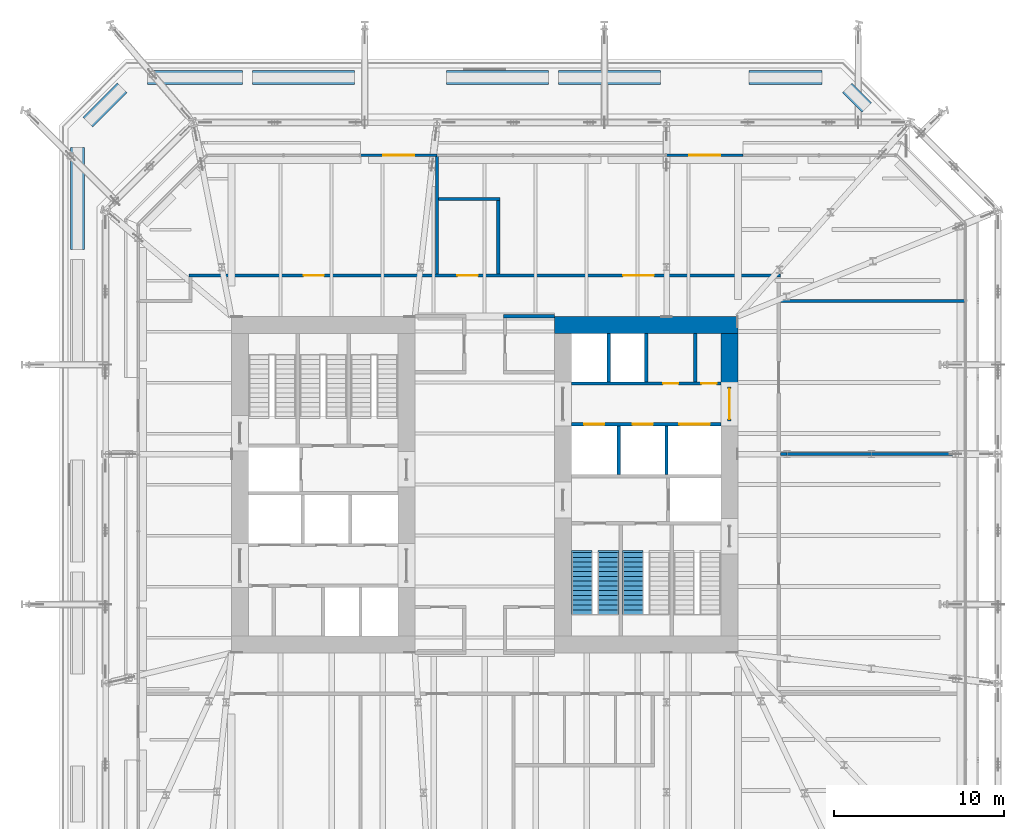
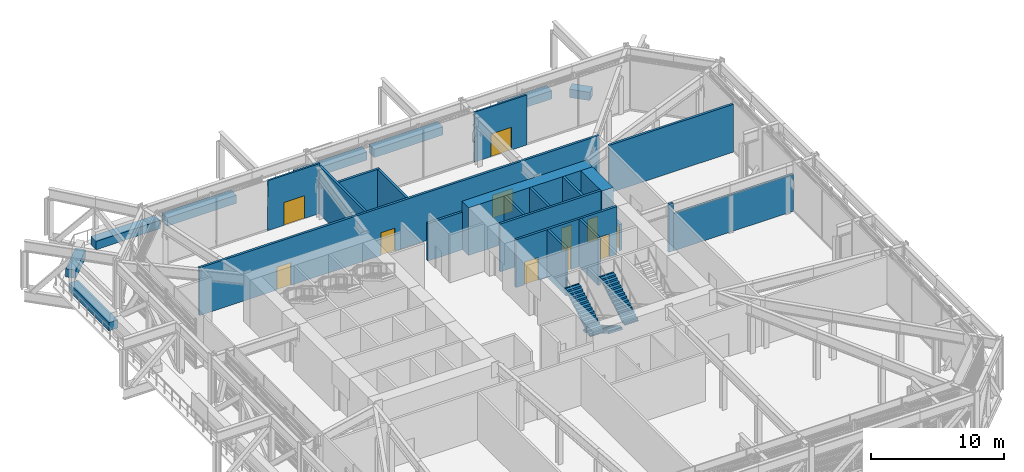
# One storey, part 19 of 29: 28 walls, 11 doors, 3 stair flights, 11 openings, 2 elements without a shape of their own.
"""IFC4 building model written with IfcOpenShell, lengths in metres."""

from ifc_helpers import new_model, si_unit, direction, frame, frame_2d, origin, place, context, subcontext, project, spatial, polyline, rectangle, outline, extrude, material, layer, layer_set, type_object, element, fill, aggregate, save


model = new_model("IFC4")

# Units and contexts
model_context = context("Model", 3, precision=1e-05, world=origin(), true_north=direction((0.0, 1.0)))
body_context = subcontext(model_context, "Body", "Model", "MODEL_VIEW")
ifc_project = project(units=[si_unit("LENGTHUNIT", "METRE"), si_unit("AREAUNIT", "SQUARE_METRE"), si_unit("VOLUMEUNIT", "CUBIC_METRE"), si_unit("PLANEANGLEUNIT", "RADIAN"), si_unit("MASSUNIT", "GRAM", prefix="KILO")], contexts=[model_context])

# Site, building, storey
site_placement = place(None, origin())
site = spatial("IfcSite", under=ifc_project, at=site_placement, CompositionType="ELEMENT")
building_placement = place(site_placement, origin())
building = spatial("IfcBuilding", under=site, at=building_placement, Name="Millrace Tower", CompositionType="ELEMENT")
storey_placement = place(building_placement, frame((0.0, 0.0, 68.60009765625)))
storey = spatial("IfcBuildingStorey", under=building, at=storey_placement, Name="L15", CompositionType="ELEMENT", Elevation=68.60009765625)

# Walls
ifc_material_1 = material(Name="Concrete C80", Category="concrete")
ifc_layer_1 = layer(ifc_material_1, 1.0)
ifc_layer_set_1 = layer_set([ifc_layer_1], Name="Concrete C80")
wall_type_1 = type_object("IfcWallType", Name="Core wall 1000 Concrete C80", PredefinedType="SHEAR", material=ifc_layer_set_1)
wall_1_placement = place(storey_placement, frame((14.89990234375, 9.39990234375, 0.0), z_axis=(0.0, 0.0, 1.0), x_axis=(-1.0, 0.0, 0.0)))
element("IfcWall", 1, at=wall_1_placement, inside=storey, type_object=wall_type_1, Name="Core wall E L15", PredefinedType="SHEAR", context=body_context, shape_type="SweptSolid", body=[
    extrude(rectangle(XDim=10.7998046875, YDim=1.0, at=frame_2d((5.39990234375, 0.0))), origin(), (0.0, 0.0, 1.0), 4.39990234375),
])
wall_2_placement = place(storey_placement, frame((14.39990234375, 8.89990234375, 0.0), z_axis=(0.0, 0.0, 1.0), x_axis=(0.0, -1.0, 0.0)))
element("IfcWall", 2, at=wall_2_placement, inside=storey, type_object=wall_type_1, Name="Core wall E L15", PredefinedType="SHEAR", context=body_context, shape_type="SweptSolid", body=[
    extrude(rectangle(XDim=3.14990234375, YDim=1.0, at=frame_2d((1.574951171875, 0.0))), origin(), (0.0, 0.0, 1.0), 4.39990234375),
])
ifc_material_2 = material(Name="Masonry partition, fire-rated", Category="masonry")
ifc_layer_2 = layer(ifc_material_2, 0.199951171875)
ifc_layer_set_2 = layer_set([ifc_layer_2], Name="Masonry partition, fire-rated")
wall_type_2 = type_object("IfcWallType", Name="Corridor wall 200", PredefinedType="PARTITIONING", material=ifc_layer_set_2)
wall_3_placement = place(storey_placement, frame((17.39990234375, 1.800048828125, 0.0), z_axis=(0.0, 0.0, 1.0), x_axis=(1.0, 0.0, 0.0)))
element("IfcWall", 3, at=wall_3_placement, inside=storey, type_object=wall_type_2, Name="Corridor wall L15", PredefinedType="PARTITIONING", context=body_context, shape_type="SweptSolid", body=[
    extrude(rectangle(XDim=0.400146484375, YDim=0.199951171875, at=frame_2d((0.2001953125, 0.0))), origin(), (0.0, 0.0, 1.0), 4.39990234375),
])
wall_4_placement = place(storey_placement, frame((17.800048828125, 1.800048828125, 0.0), z_axis=(0.0, 0.0, 1.0), x_axis=(1.0, 0.0, 0.0)))
element("IfcWall", 4, at=wall_4_placement, inside=storey, type_object=wall_type_2, Name="Corridor wall L15", PredefinedType="PARTITIONING", context=body_context, shape_type="SweptSolid", body=[
    extrude(rectangle(XDim=10.429931640625, YDim=0.199951171875, at=frame_2d((5.21484375, 0.0))), origin(), (0.0, 0.0, 1.0), 3.40673828125),
])
wall_5_placement = place(storey_placement, frame((1.10009765625, 9.89990234375, 0.0), z_axis=(0.0, 0.0, 1.0), x_axis=(1.0, 0.0, 0.0)))
element("IfcWall", 5, at=wall_5_placement, inside=storey, type_object=wall_type_2, Name="Corridor wall L15", PredefinedType="PARTITIONING", context=body_context, shape_type="SweptSolid", body=[
    extrude(rectangle(XDim=3.0, YDim=0.199951171875, at=frame_2d((1.5, 0.0))), origin(), (0.0, 0.0, 1.0), 3.462646484375),
])
wall_6_placement = place(storey_placement, frame((17.39990234375, 10.800048828125, 0.0), z_axis=(0.0, 0.0, 1.0), x_axis=(1.0, 0.0, 0.0)))
element("IfcWall", 6, at=wall_6_placement, inside=storey, type_object=wall_type_2, Name="Corridor wall L15", PredefinedType="PARTITIONING", context=body_context, shape_type="SweptSolid", body=[
    extrude(rectangle(XDim=10.830078125, YDim=0.199951171875, at=frame_2d((5.4150390625, 0.0))), origin(), (0.0, 0.0, 1.0), 4.39990234375),
])

# Wall, openings, doors
wall_7_placement = place(storey_placement, frame((-17.39990234375, 12.300048828125, 0.0), z_axis=(0.0, 0.0, 1.0), x_axis=(1.0, 0.0, 0.0)))
wall_7 = element("IfcWall", 7, at=wall_7_placement, inside=storey, type_object=wall_type_2, Name="Corridor wall L15", PredefinedType="PARTITIONING", context=body_context, shape_type="SweptSolid", body=[
    extrude(rectangle(XDim=34.7998046875, YDim=0.199951171875, at=frame_2d((17.39990234375, 0.0))), origin(), (0.0, 0.0, 1.0), 4.39990234375),
])
opening_1_placement = place(wall_7_placement, frame((6.75, 0.0, 0.0)))
opening_1 = element("IfcOpeningElement", 8, at=opening_1_placement, cuts=wall_7, Name="Opening 15-P008", PredefinedType="OPENING", context=body_context, shape_type="SweptSolid", body=[
    extrude(rectangle(XDim=1.199951171875, YDim=2.10009765625, at=frame_2d((0.60009765625, 1.050048828125))), frame((0.0, 0.10986328125, 0.0), z_axis=(0.0, -1.0, 0.0), x_axis=(1.0, 0.0, 0.0)), (0.0, 0.0, 1.0), 0.219970703125),
])
opening_2_placement = place(wall_7_placement, frame((25.550048828125, 0.0, 0.0)))
opening_2 = element("IfcOpeningElement", 9, at=opening_2_placement, cuts=wall_7, Name="Opening 15-P009", PredefinedType="OPENING", context=body_context, shape_type="SweptSolid", body=[
    extrude(rectangle(XDim=1.800048828125, YDim=2.10009765625, at=frame_2d((0.89990234375, 1.050048828125))), frame((0.0, 0.10986328125, 0.0), z_axis=(0.0, -1.0, 0.0), x_axis=(1.0, 0.0, 0.0)), (0.0, 0.0, 1.0), 0.219970703125),
])
opening_3_placement = place(wall_7_placement, frame((15.800048828125, 0.0, 0.0)))
opening_3 = element("IfcOpeningElement", 10, at=opening_3_placement, cuts=wall_7, Name="Opening 15-P010", PredefinedType="OPENING", context=body_context, shape_type="SweptSolid", body=[
    extrude(rectangle(XDim=1.199951171875, YDim=2.10009765625, at=frame_2d((0.60009765625, 1.050048828125))), frame((0.0, 0.10986328125, 0.0), z_axis=(0.0, -1.0, 0.0), x_axis=(1.0, 0.0, 0.0)), (0.0, 0.0, 1.0), 0.219970703125),
])
ifc_material_3 = material(Name="Steel door set, fire-rated", Category="steel")
door_type_1 = type_object("IfcDoorType", Name="Data hall door 1200 x 2100", OperationType="SINGLE_SWING_LEFT", PredefinedType="DOOR", material=ifc_material_3)
door_1_placement = place(opening_1_placement, origin())
door_1 = element("IfcDoor", 11, at=door_1_placement, inside=storey, type_object=door_type_1, Name="Door 15-P008", OperationType="SINGLE_SWING_LEFT", OverallHeight=2.10009765625, OverallWidth=1.199951171875, PredefinedType="DOOR", context=body_context, shape_type="SweptSolid", body=[
    extrude(rectangle(XDim=1.199951171875, YDim=2.10009765625, at=frame_2d((0.60009765625, 1.050048828125))), frame((0.0, 0.02490234375, 0.0), z_axis=(0.0, -1.0, 0.0), x_axis=(1.0, 0.0, 0.0)), (0.0, 0.0, 1.0), 0.050048828125),
])
fill(opening_1, door_1)
door_2_placement = place(opening_3_placement, origin())
door_2 = element("IfcDoor", 12, at=door_2_placement, inside=storey, type_object=door_type_1, Name="Door 15-P010", OperationType="SINGLE_SWING_LEFT", OverallHeight=2.10009765625, OverallWidth=1.199951171875, PredefinedType="DOOR", context=body_context, shape_type="SweptSolid", body=[
    extrude(rectangle(XDim=1.199951171875, YDim=2.10009765625, at=frame_2d((0.60009765625, 1.050048828125))), frame((0.0, 0.02490234375, 0.0), z_axis=(0.0, -1.0, 0.0), x_axis=(1.0, 0.0, 0.0)), (0.0, 0.0, 1.0), 0.050048828125),
])
fill(opening_3, door_2)
ifc_material_4 = material(Name="Steel door set, fire-rated", Category="steel")
door_type_2 = type_object("IfcDoorType", Name="Data hall door 1800 x 2100", OperationType="DOUBLE_DOOR_SINGLE_SWING", PredefinedType="DOOR", material=ifc_material_4)
door_3_placement = place(opening_2_placement, origin())
door_3 = element("IfcDoor", 13, at=door_3_placement, inside=storey, type_object=door_type_2, Name="Door 15-P009", OperationType="DOUBLE_DOOR_SINGLE_SWING", OverallHeight=2.10009765625, OverallWidth=1.800048828125, PredefinedType="DOOR", context=body_context, shape_type="SweptSolid", body=[
    extrude(rectangle(XDim=1.800048828125, YDim=2.10009765625, at=frame_2d((0.89990234375, 1.050048828125))), frame((0.0, 0.02490234375, 0.0), z_axis=(0.0, -1.0, 0.0), x_axis=(1.0, 0.0, 0.0)), (0.0, 0.0, 1.0), 0.050048828125),
])
fill(opening_2, door_3)

# Walls
wall_8_placement = place(storey_placement, frame((-2.699951171875, 16.800048828125, 0.0), z_axis=(0.0, 0.0, 1.0), x_axis=(1.0, 0.0, 0.0)))
element("IfcWall", 14, at=wall_8_placement, inside=storey, type_object=wall_type_2, Name="Corridor wall L15", PredefinedType="PARTITIONING", context=body_context, shape_type="SweptSolid", body=[
    extrude(rectangle(XDim=3.599853515625, YDim=0.199951171875, at=frame_2d((1.7998046875, 0.0))), origin(), (0.0, 0.0, 1.0), 4.39990234375),
])
wall_9_placement = place(storey_placement, frame((0.800048828125, 12.39990234375, 0.0), z_axis=(0.0, 0.0, 1.0), x_axis=(0.0, 1.0, 0.0)))
element("IfcWall", 15, at=wall_9_placement, inside=storey, type_object=wall_type_2, Name="Corridor wall L15", PredefinedType="PARTITIONING", context=body_context, shape_type="SweptSolid", body=[
    extrude(rectangle(XDim=4.300048828125, YDim=0.199951171875, at=frame_2d((2.14990234375, 0.0))), origin(), (0.0, 0.0, 1.0), 4.39990234375),
])
wall_10_placement = place(storey_placement, frame((-2.800048828125, 12.39990234375, 0.0), z_axis=(0.0, 0.0, 1.0), x_axis=(0.0, 1.0, 0.0)))
element("IfcWall", 16, at=wall_10_placement, inside=storey, type_object=wall_type_2, Name="Corridor wall L15", PredefinedType="PARTITIONING", context=body_context, shape_type="SweptSolid", body=[
    extrude(rectangle(XDim=6.93017578125, YDim=0.199951171875, at=frame_2d((3.465087890625, 0.0))), origin(), (0.0, 0.0, 1.0), 4.39990234375),
])

# Wall, opening, door
ifc_material_5 = material(Name="Aluminium framed glazing", Category="aluminium")
ifc_layer_3 = layer(ifc_material_5, 0.14990234375)
ifc_layer_set_3 = layer_set([ifc_layer_3], Name="Aluminium framed glazing")
wall_type_3 = type_object("IfcWallType", Name="Entrance infill wall 150 thick", PredefinedType="STANDARD", material=ifc_layer_set_3)
wall_11_placement = place(storey_placement, frame((15.199951171875, 19.375, 0.0), z_axis=(0.0, 0.0, 1.0), x_axis=(-1.0, 0.0, 0.0)))
wall_11 = element("IfcWall", 17, at=wall_11_placement, inside=storey, type_object=wall_type_3, Name="Entrance infill wall B-F06 3", PredefinedType="STANDARD", context=body_context, shape_type="SweptSolid", body=[
    extrude(rectangle(XDim=4.56494140625, YDim=0.14990234375, at=frame_2d((2.282470703125, 0.0))), origin(), (0.0, 0.0, 1.0), 4.599853515625),
])
opening_4_placement = place(wall_11_placement, frame((1.35009765625, 0.0, 0.0)))
opening_4 = element("IfcOpeningElement", 18, at=opening_4_placement, cuts=wall_11, Name="Opening 15-X001", PredefinedType="OPENING", context=body_context, shape_type="SweptSolid", body=[
    extrude(rectangle(XDim=1.800048828125, YDim=2.10009765625, at=frame_2d((0.89990234375, 1.050048828125))), frame((0.0, 0.0849609375, 0.0), z_axis=(0.0, -1.0, 0.0), x_axis=(1.0, 0.0, 0.0)), (0.0, 0.0, 1.0), 0.169921875),
])
ifc_material_6 = material(Name="Aluminium and glass", Category="aluminium")
door_type_3 = type_object("IfcDoorType", Name="Terrace double door", OperationType="DOUBLE_DOOR_DOUBLE_SWING", PredefinedType="DOOR", material=ifc_material_6)
door_4_placement = place(opening_4_placement, frame((1.800048828125, 0.0, 0.0), z_axis=(0.0, 0.0, 1.0), x_axis=(-1.0, 0.0, 0.0)))
door_4 = element("IfcDoor", 19, at=door_4_placement, inside=storey, type_object=door_type_3, Name="15-X001", OperationType="DOUBLE_DOOR_DOUBLE_SWING", OverallHeight=2.10009765625, OverallWidth=1.800048828125, PredefinedType="DOOR", context=body_context, shape_type="SweptSolid", body=[
    extrude(rectangle(XDim=1.800048828125, YDim=2.10009765625, at=frame_2d((0.89990234375, 1.050048828125))), frame((0.0, 0.02490234375, 0.0), z_axis=(0.0, -1.0, 0.0), x_axis=(1.0, 0.0, 0.0)), (0.0, 0.0, 1.0), 0.050048828125),
])
fill(opening_4, door_4)

wall_12_placement = place(storey_placement, frame((-2.800048828125, 19.375, 0.0), z_axis=(0.0, 0.0, 1.0), x_axis=(-1.0, 0.0, 0.0)))
wall_12 = element("IfcWall", 20, at=wall_12_placement, inside=storey, type_object=wall_type_3, Name="Entrance infill wall B-F06 7", PredefinedType="STANDARD", context=body_context, shape_type="SweptSolid", body=[
    extrude(rectangle(XDim=4.56494140625, YDim=0.14990234375, at=frame_2d((2.282470703125, 0.0))), origin(), (0.0, 0.0, 1.0), 4.599853515625),
])
opening_5_placement = place(wall_12_placement, frame((1.35009765625, 0.0, 0.0)))
opening_5 = element("IfcOpeningElement", 21, at=opening_5_placement, cuts=wall_12, Name="Opening 15-X002", PredefinedType="OPENING", context=body_context, shape_type="SweptSolid", body=[
    extrude(rectangle(XDim=1.800048828125, YDim=2.10009765625, at=frame_2d((0.89990234375, 1.050048828125))), frame((0.0, 0.0849609375, 0.0), z_axis=(0.0, -1.0, 0.0), x_axis=(1.0, 0.0, 0.0)), (0.0, 0.0, 1.0), 0.169921875),
])
door_5_placement = place(opening_5_placement, frame((1.800048828125, 0.0, 0.0), z_axis=(0.0, 0.0, 1.0), x_axis=(-1.0, 0.0, 0.0)))
door_5 = element("IfcDoor", 22, at=door_5_placement, inside=storey, type_object=door_type_3, Name="15-X002", OperationType="DOUBLE_DOOR_DOUBLE_SWING", OverallHeight=2.10009765625, OverallWidth=1.800048828125, PredefinedType="DOOR", context=body_context, shape_type="SweptSolid", body=[
    extrude(rectangle(XDim=1.800048828125, YDim=2.10009765625, at=frame_2d((0.89990234375, 1.050048828125))), frame((0.0, 0.02490234375, 0.0), z_axis=(0.0, -1.0, 0.0), x_axis=(1.0, 0.0, 0.0)), (0.0, 0.0, 1.0), 0.050048828125),
])
fill(opening_5, door_5)

# Wall, openings, doors
ifc_material_7 = material(Name="Masonry partition, fire-rated", Category="masonry")
ifc_layer_4 = layer(ifc_material_7, 0.199951171875)
ifc_layer_set_4 = layer_set([ifc_layer_4], Name="Masonry partition, fire-rated")
wall_type_4 = type_object("IfcWallType", Name="Lift shaft wall 200", PredefinedType="PARTITIONING", material=ifc_layer_set_4)
wall_13_placement = place(storey_placement, frame((13.89990234375, 5.949951171875, 0.0), z_axis=(0.0, 0.0, 1.0), x_axis=(-1.0, 0.0, 0.0)))
wall_13 = element("IfcWall", 23, at=wall_13_placement, inside=storey, type_object=wall_type_4, Name="Lift shaft wall E L15", PredefinedType="PARTITIONING", context=body_context, shape_type="SweptSolid", body=[
    extrude(rectangle(XDim=8.7998046875, YDim=0.199951171875, at=frame_2d((4.39990234375, 0.0))), origin(), (0.0, 0.0, 1.0), 4.39990234375),
])
opening_6_placement = place(wall_13_placement, frame((0.25244140625, 0.0, 0.0)))
opening_6 = element("IfcOpeningElement", 24, at=opening_6_placement, cuts=wall_13, Name="Opening 15-C013", PredefinedType="OPENING", context=body_context, shape_type="SweptSolid", body=[
    extrude(rectangle(XDim=0.89990234375, YDim=2.10009765625, at=frame_2d((0.449951171875, 1.050048828125))), frame((0.0, 0.10986328125, 0.0), z_axis=(0.0, -1.0, 0.0), x_axis=(1.0, 0.0, 0.0)), (0.0, 0.0, 1.0), 0.219970703125),
])
opening_7_placement = place(wall_13_placement, frame((2.50244140625, 0.0, 0.0)))
opening_7 = element("IfcOpeningElement", 25, at=opening_7_placement, cuts=wall_13, Name="Opening 15-C014", PredefinedType="OPENING", context=body_context, shape_type="SweptSolid", body=[
    extrude(rectangle(XDim=0.89990234375, YDim=2.10009765625, at=frame_2d((0.449951171875, 1.050048828125))), frame((0.0, 0.10986328125, 0.0), z_axis=(0.0, -1.0, 0.0), x_axis=(1.0, 0.0, 0.0)), (0.0, 0.0, 1.0), 0.219970703125),
])
ifc_material_8 = material(Name="Steel door, fire-rated", Category="steel")
door_type_4 = type_object("IfcDoorType", Name="Service room door 900 x 2100", OperationType="SINGLE_SWING_LEFT", PredefinedType="DOOR", material=ifc_material_8)
door_6_placement = place(opening_6_placement, frame((0.89990234375, 0.0, 0.0), z_axis=(0.0, 0.0, 1.0), x_axis=(-1.0, 0.0, 0.0)))
door_6 = element("IfcDoor", 26, at=door_6_placement, inside=storey, type_object=door_type_4, Name="Service room door 15-C013", OperationType="SINGLE_SWING_RIGHT", OverallHeight=2.10009765625, OverallWidth=0.89990234375, PredefinedType="DOOR", context=body_context, shape_type="SweptSolid", body=[
    extrude(rectangle(XDim=0.89990234375, YDim=2.10009765625, at=frame_2d((0.449951171875, 1.050048828125))), frame((0.0, 0.02490234375, 0.0), z_axis=(0.0, -1.0, 0.0), x_axis=(1.0, 0.0, 0.0)), (0.0, 0.0, 1.0), 0.050048828125),
])
fill(opening_6, door_6)
door_7_placement = place(opening_7_placement, frame((0.89990234375, 0.0, 0.0), z_axis=(0.0, 0.0, 1.0), x_axis=(-1.0, 0.0, 0.0)))
door_7 = element("IfcDoor", 27, at=door_7_placement, inside=storey, type_object=door_type_4, Name="Service room door 15-C014", OperationType="SINGLE_SWING_RIGHT", OverallHeight=2.10009765625, OverallWidth=0.89990234375, PredefinedType="DOOR", context=body_context, shape_type="SweptSolid", body=[
    extrude(rectangle(XDim=0.89990234375, YDim=2.10009765625, at=frame_2d((0.449951171875, 1.050048828125))), frame((0.0, 0.02490234375, 0.0), z_axis=(0.0, -1.0, 0.0), x_axis=(1.0, 0.0, 0.0)), (0.0, 0.0, 1.0), 0.050048828125),
])
fill(opening_7, door_7)

wall_14_placement = place(storey_placement, frame((13.89990234375, 3.550048828125, 0.0), z_axis=(0.0, 0.0, 1.0), x_axis=(-1.0, 0.0, 0.0)))
wall_14 = element("IfcWall", 28, at=wall_14_placement, inside=storey, type_object=wall_type_4, Name="Lift shaft wall E L15", PredefinedType="PARTITIONING", context=body_context, shape_type="SweptSolid", body=[
    extrude(rectangle(XDim=8.7998046875, YDim=0.199951171875, at=frame_2d((4.39990234375, 0.0))), origin(), (0.0, 0.0, 1.0), 4.39990234375),
])
opening_8_placement = place(wall_14_placement, frame((0.64990234375, 0.0, 0.0)))
opening_8 = element("IfcOpeningElement", 29, at=opening_8_placement, cuts=wall_14, Name="Opening 15-LD13", PredefinedType="OPENING", context=body_context, shape_type="SweptSolid", body=[
    extrude(rectangle(XDim=1.800048828125, YDim=2.10009765625, at=frame_2d((0.89990234375, 1.050048828125))), frame((0.0, 0.10986328125, 0.0), z_axis=(0.0, -1.0, 0.0), x_axis=(1.0, 0.0, 0.0)), (0.0, 0.0, 1.0), 0.219970703125),
])
opening_9_placement = place(wall_14_placement, frame((4.0, 0.0, 0.0)))
opening_9 = element("IfcOpeningElement", 30, at=opening_9_placement, cuts=wall_14, Name="Opening 15-LD14", PredefinedType="OPENING", context=body_context, shape_type="SweptSolid", body=[
    extrude(rectangle(XDim=1.199951171875, YDim=2.10009765625, at=frame_2d((0.60009765625, 1.050048828125))), frame((0.0, 0.10986328125, 0.0), z_axis=(0.0, -1.0, 0.0), x_axis=(1.0, 0.0, 0.0)), (0.0, 0.0, 1.0), 0.219970703125),
])
opening_10_placement = place(wall_14_placement, frame((6.85009765625, 0.0, 0.0)))
opening_10 = element("IfcOpeningElement", 31, at=opening_10_placement, cuts=wall_14, Name="Opening 15-LD15", PredefinedType="OPENING", context=body_context, shape_type="SweptSolid", body=[
    extrude(rectangle(XDim=1.199951171875, YDim=2.10009765625, at=frame_2d((0.60009765625, 1.050048828125))), frame((0.0, 0.10986328125, 0.0), z_axis=(0.0, -1.0, 0.0), x_axis=(1.0, 0.0, 0.0)), (0.0, 0.0, 1.0), 0.219970703125),
])
ifc_material_9 = material(Name="Stainless steel, fire-rated", Category="steel")
door_type_5 = type_object("IfcDoorType", Name="Lift landing door 1200 x 2100", OperationType="DOUBLE_DOOR_SLIDING", PredefinedType="DOOR", material=ifc_material_9)
door_8_placement = place(opening_9_placement, origin())
door_8 = element("IfcDoor", 32, at=door_8_placement, inside=storey, type_object=door_type_5, Name="Lift landing door LF14 L15", OperationType="DOUBLE_DOOR_SLIDING", OverallHeight=2.10009765625, OverallWidth=1.199951171875, PredefinedType="DOOR", context=body_context, shape_type="SweptSolid", body=[
    extrude(rectangle(XDim=1.199951171875, YDim=2.10009765625, at=frame_2d((0.60009765625, 1.050048828125))), frame((0.0, 0.02490234375, 0.0), z_axis=(0.0, -1.0, 0.0), x_axis=(1.0, 0.0, 0.0)), (0.0, 0.0, 1.0), 0.050048828125),
])
fill(opening_9, door_8)
door_9_placement = place(opening_10_placement, origin())
door_9 = element("IfcDoor", 33, at=door_9_placement, inside=storey, type_object=door_type_5, Name="Lift landing door LF15 L15", OperationType="DOUBLE_DOOR_SLIDING", OverallHeight=2.10009765625, OverallWidth=1.199951171875, PredefinedType="DOOR", context=body_context, shape_type="SweptSolid", body=[
    extrude(rectangle(XDim=1.199951171875, YDim=2.10009765625, at=frame_2d((0.60009765625, 1.050048828125))), frame((0.0, 0.02490234375, 0.0), z_axis=(0.0, -1.0, 0.0), x_axis=(1.0, 0.0, 0.0)), (0.0, 0.0, 1.0), 0.050048828125),
])
fill(opening_10, door_9)
ifc_material_10 = material(Name="Stainless steel, fire-rated", Category="steel")
door_type_6 = type_object("IfcDoorType", Name="Lift landing door 1800 x 2100", OperationType="DOUBLE_DOOR_SLIDING", PredefinedType="DOOR", material=ifc_material_10)
door_10_placement = place(opening_8_placement, origin())
door_10 = element("IfcDoor", 34, at=door_10_placement, inside=storey, type_object=door_type_6, Name="Lift landing door LF13 L15", OperationType="DOUBLE_DOOR_SLIDING", OverallHeight=2.10009765625, OverallWidth=1.800048828125, PredefinedType="DOOR", context=body_context, shape_type="SweptSolid", body=[
    extrude(rectangle(XDim=1.800048828125, YDim=2.10009765625, at=frame_2d((0.89990234375, 1.050048828125))), frame((0.0, 0.02490234375, 0.0), z_axis=(0.0, -1.0, 0.0), x_axis=(1.0, 0.0, 0.0)), (0.0, 0.0, 1.0), 0.050048828125),
])
fill(opening_8, door_10)

# Walls
for number, where, z_axis, x_axis, name in (
    (35, (9.5, 8.89990234375, 0.0), (0.0, 0.0, 1.0), (0.0, -1.0, 0.0), "Lift shaft wall E L15"),
    (36, (7.300048828125, 8.89990234375, 0.0), (0.0, 0.0, 1.0), (0.0, -1.0, 0.0), "Lift shaft wall E L15"),
    (37, (10.699951171875, 3.449951171875, 0.0), (0.0, 0.0, 1.0), (0.0, -1.0, 0.0), "Lift shaft wall E L15"),
    (38, (7.89990234375, 3.449951171875, 0.0), (0.0, 0.0, 1.0), (0.0, -1.0, 0.0), "Lift shaft wall E L15"),
):
    element("IfcWall", number, at=place(storey_placement, frame(where, z_axis=z_axis, x_axis=x_axis)), inside=storey, type_object=wall_type_4, Name=name, PredefinedType="PARTITIONING", context=body_context, shape_type="SweptSolid", body=[
        extrude(rectangle(XDim=2.849853515625, YDim=0.199951171875, at=frame_2d((1.4248046875, 0.0))), origin(), (0.0, 0.0, 1.0), 4.39990234375),
    ])

# Wall, opening, door
ifc_material_11 = material(Name="Masonry partition, fire-rated", Category="masonry")
ifc_layer_5 = layer(ifc_material_11, 0.199951171875)
ifc_layer_set_5 = layer_set([ifc_layer_5], Name="Masonry partition, fire-rated")
wall_type_5 = type_object("IfcWallType", Name="Lobby wall 200", PredefinedType="PARTITIONING", material=ifc_layer_set_5)
wall_15_placement = place(storey_placement, frame((14.39990234375, 5.75, 0.0), z_axis=(0.0, 0.0, 1.0), x_axis=(0.0, -1.0, 0.0)))
wall_15 = element("IfcWall", 39, at=wall_15_placement, inside=storey, type_object=wall_type_5, Name="Lobby wall E L15", PredefinedType="PARTITIONING", context=body_context, shape_type="SweptSolid", body=[
    extrude(rectangle(XDim=2.0, YDim=0.199951171875, at=frame_2d((1.0, 0.0))), origin(), (0.0, 0.0, 1.0), 2.39990234375),
])
opening_11_placement = place(wall_15_placement, frame((0.10009765625, 0.0, 0.0)))
opening_11 = element("IfcOpeningElement", 40, at=opening_11_placement, cuts=wall_15, Name="Opening 15-C009", PredefinedType="OPENING", context=body_context, shape_type="SweptSolid", body=[
    extrude(rectangle(XDim=1.800048828125, YDim=2.10009765625, at=frame_2d((0.89990234375, 1.050048828125))), frame((0.0, 0.10986328125, 0.0), z_axis=(0.0, -1.0, 0.0), x_axis=(1.0, 0.0, 0.0)), (0.0, 0.0, 1.0), 0.219970703125),
])
ifc_material_12 = material(Name="Steel door, fire-rated", Category="steel")
door_type_7 = type_object("IfcDoorType", Name="Lobby door 1800 x 2100", OperationType="DOUBLE_DOOR_SINGLE_SWING", PredefinedType="DOOR", material=ifc_material_12)
door_11_placement = place(opening_11_placement, origin())
door_11 = element("IfcDoor", 41, at=door_11_placement, inside=storey, type_object=door_type_7, Name="Lobby door 15-C009", OperationType="DOUBLE_DOOR_SINGLE_SWING", OverallHeight=2.10009765625, OverallWidth=1.800048828125, PredefinedType="DOOR", context=body_context, shape_type="SweptSolid", body=[
    extrude(rectangle(XDim=1.800048828125, YDim=2.10009765625, at=frame_2d((0.89990234375, 1.050048828125))), frame((0.0, 0.02490234375, 0.0), z_axis=(0.0, -1.0, 0.0), x_axis=(1.0, 0.0, 0.0)), (0.0, 0.0, 1.0), 0.050048828125),
])
fill(opening_11, door_11)

# Walls
ifc_material_13 = material(Name="Concrete C40", Category="concrete")
ifc_layer_6 = layer(ifc_material_13, 0.800048828125)
ifc_layer_set_6 = layer_set([ifc_layer_6], Name="Concrete C40")
wall_type_6 = type_object("IfcWallType", Name="PLANTER raised bed 760 high x 800 thick", PredefinedType="STANDARD", material=ifc_layer_set_6)
wall_16_placement = place(storey_placement, frame((22.47607421875, 22.18896484375, 0.039794921875), z_axis=(0.0, 0.0, 1.0), x_axis=(-0.707106781187, 0.707106781187, 0.0)))
element("IfcWall", 42, at=wall_16_placement, inside=storey, type_object=wall_type_6, Name="PLANTER raised bed T-L14-1 1.0.0", PredefinedType="STANDARD", context=body_context, shape_type="SweptSolid", body=[
    extrude(rectangle(XDim=1.6181640625, YDim=0.800048828125, at=frame_2d((0.80908203125, 0.0))), origin(), (0.0, 0.0, 1.0), 0.760009765625),
])
wall_17_placement = place(storey_placement, frame((19.8427734375, 23.949951171875, 0.039794921875), z_axis=(0.0, 0.0, 1.0), x_axis=(-1.0, 0.0, 0.0)))
element("IfcWall", 43, at=wall_17_placement, inside=storey, type_object=wall_type_6, Name="PLANTER raised bed T-L14-1 1.1.0", PredefinedType="STANDARD", context=body_context, shape_type="SweptSolid", body=[
    extrude(rectangle(XDim=4.292724609375, YDim=0.800048828125, at=frame_2d((2.146484375, 0.0))), origin(), (0.0, 0.0, 1.0), 0.760009765625),
])
for number, where, z_axis, x_axis, name in (
    (44, (10.35009765625, 23.949951171875, 0.039794921875), (0.0, 0.0, 1.0), (-1.0, 0.0, 0.0), "PLANTER raised bed T-L14-1 1.1.1"),
    (45, (3.75, 23.949951171875, 0.039794921875), (0.0, 0.0, 1.0), (-1.0, 0.0, 0.0), "PLANTER raised bed T-L14-1 1.1.2"),
    (46, (-7.64990234375, 23.949951171875, 0.039794921875), (0.0, 0.0, 1.0), (-1.0, 0.0, 0.0), "PLANTER raised bed T-L14-1 1.1.3"),
):
    element("IfcWall", number, at=place(storey_placement, frame(where, z_axis=z_axis, x_axis=x_axis)), inside=storey, type_object=wall_type_6, Name=name, PredefinedType="STANDARD", context=body_context, shape_type="SweptSolid", body=[
        extrude(rectangle(XDim=6.0, YDim=0.800048828125, at=frame_2d((3.0, 0.0))), origin(), (0.0, 0.0, 1.0), 0.760009765625),
    ])
wall_18_placement = place(storey_placement, frame((-14.25, 23.949951171875, 0.039794921875), z_axis=(0.0, 0.0, 1.0), x_axis=(-1.0, 0.0, 0.0)))
element("IfcWall", 47, at=wall_18_placement, inside=storey, type_object=wall_type_6, Name="PLANTER raised bed T-L14-1 1.1.4", PredefinedType="STANDARD", context=body_context, shape_type="SweptSolid", body=[
    extrude(rectangle(XDim=5.5927734375, YDim=0.800048828125, at=frame_2d((2.79638671875, 0.0))), origin(), (0.0, 0.0, 1.0), 0.760009765625),
])
wall_19_placement = place(storey_placement, frame((-21.331787109375, 23.333251953125, 0.039794921875), z_axis=(0.0, 0.0, 1.0), x_axis=(-0.707106781187, -0.707106781187, 0.0)))
element("IfcWall", 48, at=wall_19_placement, inside=storey, type_object=wall_type_6, Name="PLANTER raised bed T-L14-1 1.2.0", PredefinedType="STANDARD", context=body_context, shape_type="SweptSolid", body=[
    extrude(rectangle(XDim=2.83056640625, YDim=0.800048828125, at=frame_2d((1.415283203125, 0.0))), origin(), (0.0, 0.0, 1.0), 0.760009765625),
])
wall_20_placement = place(storey_placement, frame((-23.949951171875, 19.8427734375, 0.039794921875), z_axis=(0.0, 0.0, 1.0), x_axis=(0.0, -1.0, 0.0)))
element("IfcWall", 49, at=wall_20_placement, inside=storey, type_object=wall_type_6, Name="PLANTER raised bed T-L14-1 1.3.0", PredefinedType="STANDARD", context=body_context, shape_type="SweptSolid", body=[
    extrude(rectangle(XDim=6.0, YDim=0.800048828125, at=frame_2d((3.0, 0.0))), origin(), (0.0, 0.0, 1.0), 0.760009765625),
])
ifc_material_14 = material(Name="Masonry partition, fire-rated", Category="masonry")
ifc_layer_7 = layer(ifc_material_14, 0.199951171875)
ifc_layer_set_7 = layer_set([ifc_layer_7], Name="Masonry partition, fire-rated")
wall_type_7 = type_object("IfcWallType", Name="Room partition 200", PredefinedType="PARTITIONING", material=ifc_layer_set_7)
wall_21_placement = place(storey_placement, frame((12.39501953125, 8.89990234375, 0.0), z_axis=(0.0, 0.0, 1.0), x_axis=(0.0, -1.0, 0.0)))
element("IfcWall", 50, at=wall_21_placement, inside=storey, type_object=wall_type_7, Name="Room partition E L15", PredefinedType="PARTITIONING", context=body_context, shape_type="SweptSolid", body=[
    extrude(rectangle(XDim=2.849853515625, YDim=0.199951171875, at=frame_2d((1.4248046875, 0.0))), origin(), (0.0, 0.0, 1.0), 4.39990234375),
])

# Stair, stair flight
ifc_material_15 = material(Name="Concrete C35", Category="concrete")
stair_type = type_object("IfcStairType", Name="Exit stair", PredefinedType="HALF_TURN_STAIR", material=ifc_material_15)
placement = place(storey_placement, origin())
stair_1 = element("IfcStair", 51, at=placement, inside=storey, type_object=stair_type, Name="Stair 2 E L15", PredefinedType="HALF_TURN_STAIR")
ifc_material_16 = material(Name="Concrete C35", Category="concrete")
stair_flight_type = type_object("IfcStairFlightType", Name="Exit stair flight", PredefinedType="STRAIGHT", material=ifc_material_16)
stair_flight_1_placement = place(storey_placement, frame((8.7099609375, -7.639892578125, 2.2998046875), z_axis=(0.0, 0.0, 1.0), x_axis=(0.0, 1.0, 0.0)))
stair_flight_1 = element("IfcStairFlight", 52, at=stair_flight_1_placement, type_object=stair_flight_type, Name="ST12 flight 2", NumberOfRisers=14, NumberOfTreads=13, PredefinedType="STRAIGHT", RiserHeight=0.164285714, TreadLength=0.28, context=body_context, shape_type="SweptSolid", body=[
    extrude(outline(polyline([(-0.1201171875, -0.0400390625), (-0.1201171875, 0.0), (0.0, 0.0), (0.0, 0.164306640625), (0.280029296875, 0.164306640625), (0.280029296875, 0.32861328125), (0.56005859375, 0.32861328125), (0.56005859375, 0.492919921875), (0.840087890625, 0.492919921875), (0.840087890625, 0.6572265625), (1.1201171875, 0.6572265625), (1.1201171875, 0.821533203125), (1.39990234375, 0.821533203125), (1.39990234375, 0.985595703125), (1.679931640625, 0.985595703125), (1.679931640625, 1.14990234375), (1.9599609375, 1.14990234375), (1.9599609375, 1.314208984375), (2.239990234375, 1.314208984375), (2.239990234375, 1.478515625), (2.52001953125, 1.478515625), (2.52001953125, 1.642822265625), (2.800048828125, 1.642822265625), (2.800048828125, 1.80712890625), (3.080078125, 1.80712890625), (3.080078125, 1.971435546875), (3.360107421875, 1.971435546875), (3.360107421875, 2.1357421875), (3.639892578125, 2.1357421875), (3.639892578125, 2.15576171875), (3.760009765625, 2.15576171875), (3.760009765625, 1.9619140625), (3.639892578125, 1.9619140625), (0.296142578125, 0.0), (0.296142578125, -0.0400390625), (-0.1201171875, -0.0400390625)])), frame((0.0, 0.60986328125, 0.0), z_axis=(0.0, -1.0, 0.0), x_axis=(1.0, 0.0, 0.0)), (0.0, 0.0, 1.0), 1.219970703125),
])
aggregate(stair_1, [stair_flight_1])

# Stair, stair flights
stair_2 = element("IfcStair", 53, at=placement, inside=storey, type_object=stair_type, Name="Stair 3 E L15", PredefinedType="HALF_TURN_STAIR")
stair_flight_2_placement = place(storey_placement, frame((7.2900390625, -4.0, 0.0), z_axis=(0.0, 0.0, 1.0), x_axis=(0.0, -1.0, 0.0)))
stair_flight_2 = element("IfcStairFlight", 54, at=stair_flight_2_placement, type_object=stair_flight_type, Name="ST12 flight 1", NumberOfRisers=14, NumberOfTreads=13, PredefinedType="STRAIGHT", RiserHeight=0.164285714, TreadLength=0.28, context=body_context, shape_type="SweptSolid", body=[
    extrude(outline(polyline([(-0.1201171875, -0.0400390625), (-0.1201171875, 0.0), (0.0, 0.0), (0.0, 0.164306640625), (0.280029296875, 0.164306640625), (0.280029296875, 0.32861328125), (0.56005859375, 0.32861328125), (0.56005859375, 0.492919921875), (0.840087890625, 0.492919921875), (0.840087890625, 0.6572265625), (1.1201171875, 0.6572265625), (1.1201171875, 0.821533203125), (1.39990234375, 0.821533203125), (1.39990234375, 0.985595703125), (1.679931640625, 0.985595703125), (1.679931640625, 1.14990234375), (1.9599609375, 1.14990234375), (1.9599609375, 1.314208984375), (2.239990234375, 1.314208984375), (2.239990234375, 1.478515625), (2.52001953125, 1.478515625), (2.52001953125, 1.642822265625), (2.800048828125, 1.642822265625), (2.800048828125, 1.80712890625), (3.080078125, 1.80712890625), (3.080078125, 1.971435546875), (3.360107421875, 1.971435546875), (3.360107421875, 2.1357421875), (3.639892578125, 2.1357421875), (3.639892578125, 2.15576171875), (3.760009765625, 2.15576171875), (3.760009765625, 1.9619140625), (3.639892578125, 1.9619140625), (0.296142578125, 0.0), (0.296142578125, -0.0400390625), (-0.1201171875, -0.0400390625)])), frame((0.0, 0.60986328125, 0.0), z_axis=(0.0, -1.0, 0.0), x_axis=(1.0, 0.0, 0.0)), (0.0, 0.0, 1.0), 1.219970703125),
])
stair_flight_3_placement = place(storey_placement, frame((5.7099609375, -7.639892578125, 2.2998046875), z_axis=(0.0, 0.0, 1.0), x_axis=(0.0, 1.0, 0.0)))
stair_flight_3 = element("IfcStairFlight", 55, at=stair_flight_3_placement, type_object=stair_flight_type, Name="ST12 flight 2", NumberOfRisers=14, NumberOfTreads=13, PredefinedType="STRAIGHT", RiserHeight=0.164285714, TreadLength=0.28, context=body_context, shape_type="SweptSolid", body=[
    extrude(outline(polyline([(-0.1201171875, -0.0400390625), (-0.1201171875, 0.0), (0.0, 0.0), (0.0, 0.164306640625), (0.280029296875, 0.164306640625), (0.280029296875, 0.32861328125), (0.56005859375, 0.32861328125), (0.56005859375, 0.492919921875), (0.840087890625, 0.492919921875), (0.840087890625, 0.6572265625), (1.1201171875, 0.6572265625), (1.1201171875, 0.821533203125), (1.39990234375, 0.821533203125), (1.39990234375, 0.985595703125), (1.679931640625, 0.985595703125), (1.679931640625, 1.14990234375), (1.9599609375, 1.14990234375), (1.9599609375, 1.314208984375), (2.239990234375, 1.314208984375), (2.239990234375, 1.478515625), (2.52001953125, 1.478515625), (2.52001953125, 1.642822265625), (2.800048828125, 1.642822265625), (2.800048828125, 1.80712890625), (3.080078125, 1.80712890625), (3.080078125, 1.971435546875), (3.360107421875, 1.971435546875), (3.360107421875, 2.1357421875), (3.639892578125, 2.1357421875), (3.639892578125, 2.15576171875), (3.760009765625, 2.15576171875), (3.760009765625, 1.9619140625), (3.639892578125, 1.9619140625), (0.296142578125, 0.0), (0.296142578125, -0.0400390625), (-0.1201171875, -0.0400390625)])), frame((0.0, 0.60986328125, 0.0), z_axis=(0.0, -1.0, 0.0), x_axis=(1.0, 0.0, 0.0)), (0.0, 0.0, 1.0), 1.219970703125),
])
aggregate(stair_2, [stair_flight_2, stair_flight_3])

save(model, "model.ifc")
